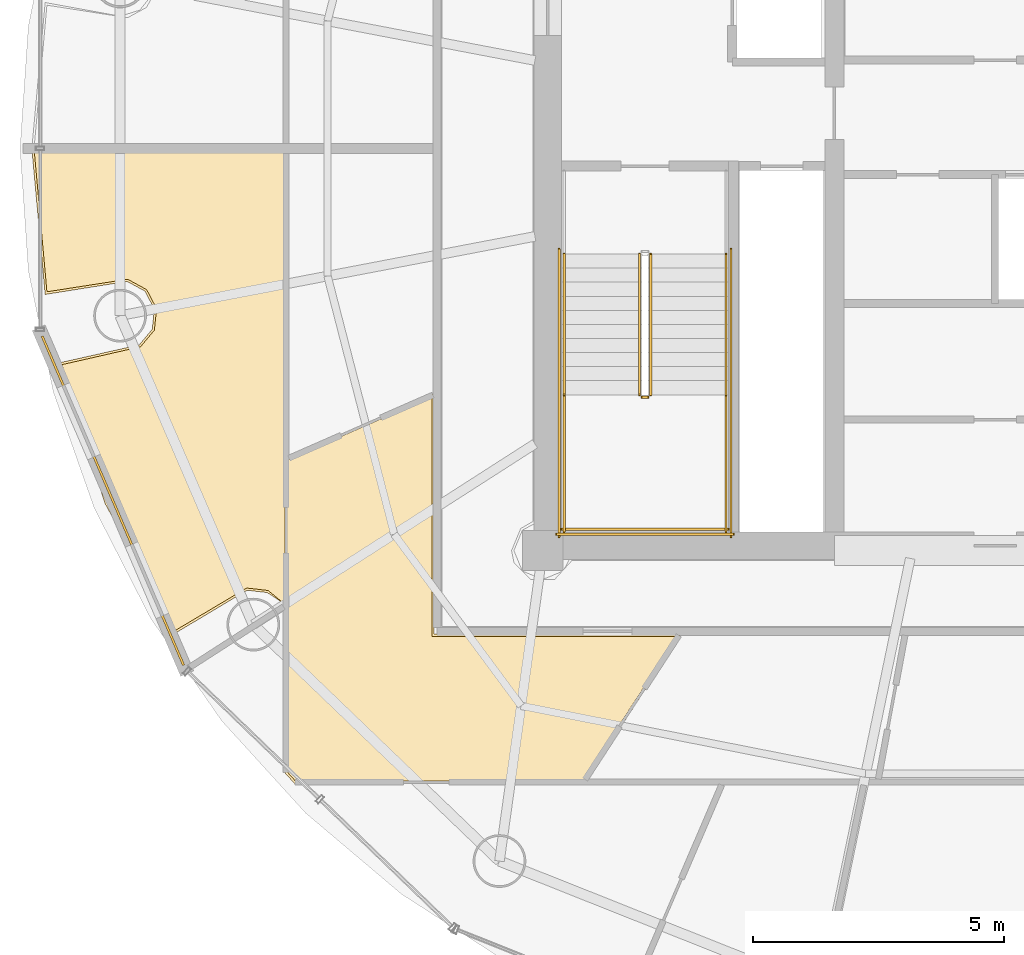
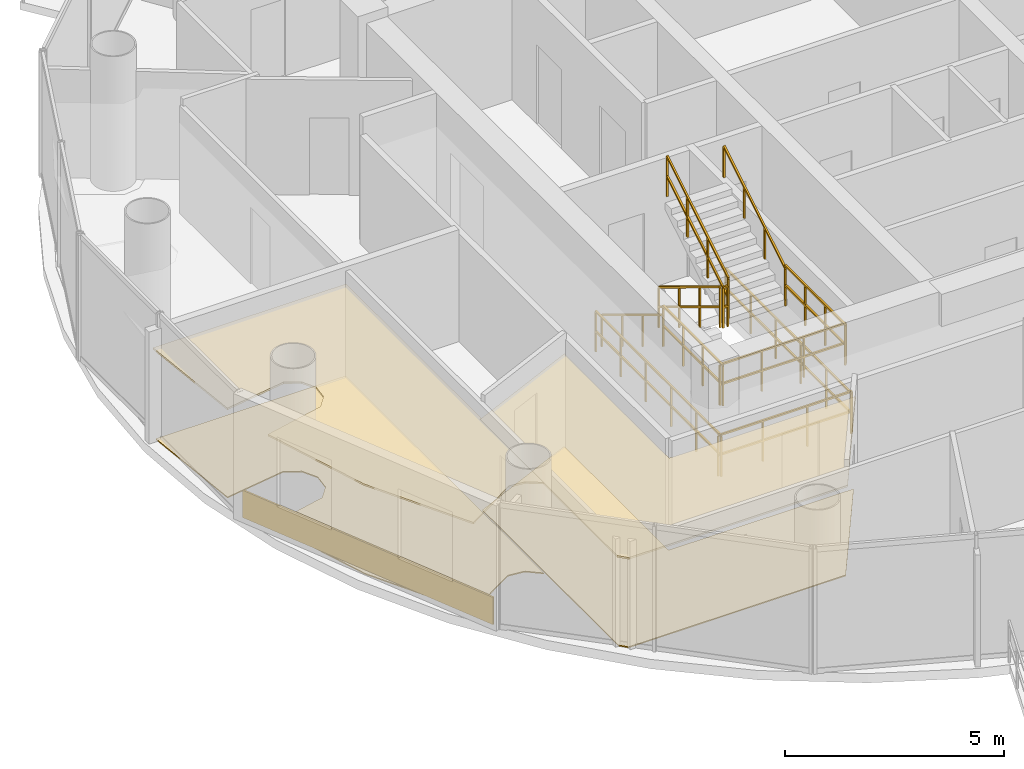
# One storey, part 21 of 24: 11 railings, 5 coverings.
"""IFC4 building model written with IfcOpenShell, lengths in metres."""

from ifc_helpers import new_model, si_unit, direction, frame, origin, origin_2d, place, context, subcontext, project, spatial, polyline, rectangle, outline, extrude, source, transform, mapped, material, layer, layer_set, type_object, element, save


model = new_model("IFC4")

# Units and contexts
model_context = context("Model", 3, precision=1e-05, world=origin(), true_north=direction((-0.2419218956, 0.970295726276)))
body_context = subcontext(model_context, "Body", "Model", "MODEL_VIEW")
ifc_project = project(units=[si_unit("LENGTHUNIT", "METRE"), si_unit("AREAUNIT", "SQUARE_METRE"), si_unit("VOLUMEUNIT", "CUBIC_METRE"), si_unit("PLANEANGLEUNIT", "RADIAN"), si_unit("MASSUNIT", "GRAM", prefix="KILO")], contexts=[model_context])

# Site, building, storey
site_placement = place(None, origin())
site = spatial("IfcSite", under=ifc_project, at=site_placement, CompositionType="ELEMENT")
building_placement = place(site_placement, origin())
building = spatial("IfcBuilding", under=site, at=building_placement, Name="Cobrevalo Terracotta Tower", CompositionType="ELEMENT")
storey_placement = place(building_placement, frame((0.0, 0.0, 293.199951171875)))
storey = spatial("IfcBuildingStorey", under=building, at=storey_placement, Name="L77", CompositionType="ELEMENT", Elevation=293.199951171875)

# Coverings
ifc_material_1 = material(Name="Engineered Brazilian hardwood flooring", Category="wood")
ifc_layer_1 = layer(ifc_material_1, 0.028076171875)
ifc_layer_set_1 = layer_set([ifc_layer_1], Name="Engineered Brazilian hardwood flooring")
covering_type_1 = type_object("IfcCoveringType", Name="Engineered Hardwood Suite Flooring 28", PredefinedType="FLOORING", material=ifc_layer_set_1)
covering_1_placement = place(storey_placement, origin())
element("IfcCovering", 1, at=covering_1_placement, inside=storey, type_object=covering_type_1, Name="Flat L77B Living and Dining Room floor finish", PredefinedType="FLOORING", context=body_context, shape_type="SweptSolid", body=[
    extrude(outline(polyline([(20.33544921875, 19.751220703125), (19.43505859375, 22.49951171875), (20.99755859375, 22.855224609375), (21.272705078125, 23.185302734375), (21.318115234375, 23.612548828125), (21.118408203125, 23.9931640625), (20.740966796875, 24.198486328125), (19.1357421875, 23.948974609375), (18.88134765625, 26.780029296875), (23.875, 26.780029296875), (23.875, 17.726318359375), (23.537109375, 18.005859375), (23.1103515625, 18.055908203125), (21.699951171875, 17.217529296875), (20.33544921875, 19.751220703125)])), origin(), (0.0, 0.0, 1.0), 0.030029296875),
])
ifc_material_2 = material(Name="Honed terracotta and granite tile", Category="masonry")
ifc_layer_2 = layer(ifc_material_2, 0.034912109375)
ifc_layer_set_2 = layer_set([ifc_layer_2], Name="Honed terracotta and granite tile")
covering_type_2 = type_object("IfcCoveringType", Name="Honed Terracotta & Granite Interior Flooring 35", PredefinedType="FLOORING", material=ifc_layer_set_2)
covering_2_placement = place(storey_placement, origin())
element("IfcCovering", 2, at=covering_2_placement, inside=storey, type_object=covering_type_2, Name="Flat L77B Apartment Entrance Hall floor finish", PredefinedType="FLOORING", context=body_context, shape_type="SweptSolid", body=[
    extrude(outline(polyline([(23.9150390625, 14.39599609375), (23.9150390625, 20.599853515625), (26.794921875, 21.863037109375), (26.794921875, 17.094970703125), (31.66943359375, 17.094970703125), (29.798095703125, 14.215087890625), (24.079833984375, 14.215087890625), (23.9150390625, 14.39599609375)])), origin(), (0.0, 0.0, 1.0), 0.030029296875),
])
ifc_material_3 = material(Name="Acoustic perforated gypsum ceiling", Category="gypsum")
ifc_layer_3 = layer(ifc_material_3, 0.050048828125)
ifc_layer_set_3 = layer_set([ifc_layer_3], Name="Acoustic perforated gypsum ceiling")
covering_type_3 = type_object("IfcCoveringType", Name="Perforated Acoustic Gypsum Ceiling 50", PredefinedType="CEILING", material=ifc_layer_set_3)
covering_3_placement = place(storey_placement, frame((0.0, 0.0, 2.5)))
element("IfcCovering", 3, at=covering_3_placement, inside=storey, type_object=covering_type_3, Name="Flat L77B Living and Dining Room acoustic ceiling", PredefinedType="CEILING", context=body_context, shape_type="SweptSolid", body=[
    extrude(outline(polyline([(20.2939453125, 19.7333984375), (19.3818359375, 22.53515625), (20.97265625, 22.89306640625), (21.23095703125, 23.202880859375), (21.273681640625, 23.60400390625), (21.086181640625, 23.96142578125), (20.731689453125, 24.154296875), (19.100830078125, 23.896484375), (18.833251953125, 26.824951171875), (23.919921875, 26.824951171875), (23.919921875, 17.70166015625), (23.51904296875, 17.964599609375), (23.118408203125, 18.011474609375), (21.687744140625, 17.15625), (20.2939453125, 19.7333984375)])), origin(), (0.0, 0.0, 1.0), 0.050048828125),
])
covering_4_placement = place(storey_placement, frame((0.0, 0.0, 2.5)))
element("IfcCovering", 4, at=covering_4_placement, inside=storey, type_object=covering_type_3, Name="Flat L77B Apartment Entrance Hall acoustic ceiling", PredefinedType="CEILING", context=body_context, shape_type="SweptSolid", body=[
    extrude(outline(polyline([(23.8701171875, 14.37841796875), (23.8701171875, 20.629150390625), (26.840087890625, 21.931884765625), (26.840087890625, 17.139892578125), (31.75244140625, 17.139892578125), (29.822509765625, 14.169921875), (24.059814453125, 14.169921875), (23.8701171875, 14.37841796875)])), origin(), (0.0, 0.0, 1.0), 0.050048828125),
])

# Railings
ifc_material_4 = material(Name="Brushed stainless steel", Category="steel")
railing_type_1 = type_object("IfcRailingType", Name="Stainless Steel Stair Handrail 900", PredefinedType="HANDRAIL", material=ifc_material_4)
railing_1_placement = place(storey_placement, frame((29.425048828125, 24.699951171875, 0.17041015625)))
element("IfcRailing", 5, at=railing_1_placement, inside=storey, type_object=railing_type_1, Name="L77 ST-1 stair handrail 1", PredefinedType="HANDRAIL", context=body_context, shape_type="SweptSolid", body=[
    extrude(rectangle(XDim=0.048095703125, YDim=0.048095703125, at=origin_2d()), frame((0.0, 0.0, 0.8759765625), z_axis=(0.0, -0.854169791009, 0.51999420009), x_axis=(1.0, 0.0, 0.0)), (0.0, 0.0, 1.0), 3.278076171875),
    extrude(rectangle(XDim=0.0419921875, YDim=0.0419921875, at=origin_2d()), origin(), (0.0, 0.0, 1.0), 0.851806640625),
    extrude(rectangle(XDim=0.0419921875, YDim=0.0419921875, at=origin_2d()), frame((0.0, -0.933349609375, 0.568115234375)), (0.0, 0.0, 1.0), 0.851806640625),
    extrude(rectangle(XDim=0.0419921875, YDim=0.0419921875, at=origin_2d()), frame((0.0, -1.86669921875, 1.136474609375)), (0.0, 0.0, 1.0), 0.851806640625),
    extrude(rectangle(XDim=0.0419921875, YDim=0.0419921875, at=origin_2d()), frame((0.0, -2.800048828125, 1.70458984375)), (0.0, 0.0, 1.0), 0.851806640625),
])
railing_2_placement = place(storey_placement, frame((32.64501953125, 21.89990234375, 2.04541015625)))
element("IfcRailing", 6, at=railing_2_placement, inside=storey, type_object=railing_type_1, Name="L77 ST-1 stair handrail 2", PredefinedType="HANDRAIL", context=body_context, shape_type="SweptSolid", body=[
    extrude(rectangle(XDim=0.048095703125, YDim=0.048095703125, at=origin_2d()), frame((0.0, 0.0, 0.8759765625), z_axis=(0.0, 0.854169791009, 0.51999420009), x_axis=(-1.0, 0.0, 0.0)), (0.0, 0.0, 1.0), 3.278076171875),
    extrude(rectangle(XDim=0.0419921875, YDim=0.0419921875, at=origin_2d()), origin(), (0.0, 0.0, 1.0), 0.851806640625),
    extrude(rectangle(XDim=0.0419921875, YDim=0.0419921875, at=origin_2d()), frame((0.0, 0.933349609375, 0.568115234375)), (0.0, 0.0, 1.0), 0.851806640625),
    extrude(rectangle(XDim=0.0419921875, YDim=0.0419921875, at=origin_2d()), frame((0.0, 1.86669921875, 1.136474609375)), (0.0, 0.0, 1.0), 0.851806640625),
    extrude(rectangle(XDim=0.0419921875, YDim=0.0419921875, at=origin_2d()), frame((0.0, 2.800048828125, 1.70458984375)), (0.0, 0.0, 1.0), 0.851806640625),
])
ifc_material_5 = material(Name="Painted galvanized steel", Category="steel")
railing_type_2 = type_object("IfcRailingType", Name="Stair Well Guard Balustrade 1150", PredefinedType="GUARDRAIL", material=ifc_material_5)
railing_3_placement = place(storey_placement, frame((30.925048828125, 24.699951171875, 0.17041015625)))
element("IfcRailing", 7, at=railing_3_placement, inside=storey, type_object=railing_type_2, Name="L77 ST-1 stair guard 1", PredefinedType="GUARDRAIL", context=body_context, shape_type="SweptSolid", body=[
    extrude(rectangle(XDim=0.048095703125, YDim=0.048095703125, at=origin_2d()), frame((0.0, 0.0, 1.1259765625), z_axis=(0.0, -0.854169791009, 0.51999420009), x_axis=(1.0, 0.0, 0.0)), (0.0, 0.0, 1.0), 3.278076171875),
    extrude(rectangle(XDim=0.048095703125, YDim=0.048095703125, at=origin_2d()), frame((0.0, 0.0, 0.574951171875), z_axis=(0.0, -0.854169791009, 0.51999420009), x_axis=(1.0, 0.0, 0.0)), (0.0, 0.0, 1.0), 3.278076171875),
    extrude(rectangle(XDim=0.0419921875, YDim=0.0419921875, at=origin_2d()), origin(), (0.0, 0.0, 1.0), 1.101806640625),
    extrude(rectangle(XDim=0.0419921875, YDim=0.0419921875, at=origin_2d()), frame((0.0, -0.933349609375, 0.568115234375)), (0.0, 0.0, 1.0), 1.101806640625),
    extrude(rectangle(XDim=0.0419921875, YDim=0.0419921875, at=origin_2d()), frame((0.0, -1.86669921875, 1.136474609375)), (0.0, 0.0, 1.0), 1.101806640625),
    extrude(rectangle(XDim=0.0419921875, YDim=0.0419921875, at=origin_2d()), frame((0.0, -2.800048828125, 1.70458984375)), (0.0, 0.0, 1.0), 1.101806640625),
])
railing_4_placement = place(storey_placement, frame((30.97509765625, 21.85009765625, 1.875)))
element("IfcRailing", 8, at=railing_4_placement, inside=storey, type_object=railing_type_2, Name="L77 ST-1 stair guard 2", PredefinedType="GUARDRAIL", context=body_context, shape_type="SweptSolid", body=[
    extrude(rectangle(XDim=0.048095703125, YDim=0.048095703125, at=origin_2d()), frame((0.0, 0.0, 1.1259765625), z_axis=(1.0, 0.0, 0.0), x_axis=(0.0, 1.0, 0.0)), (0.0, 0.0, 1.0), 0.119873046875),
    extrude(rectangle(XDim=0.048095703125, YDim=0.048095703125, at=origin_2d()), frame((0.0, 0.0, 0.574951171875), z_axis=(1.0, 0.0, 0.0), x_axis=(0.0, 1.0, 0.0)), (0.0, 0.0, 1.0), 0.119873046875),
    extrude(rectangle(XDim=0.0419921875, YDim=0.0419921875, at=origin_2d()), origin(), (0.0, 0.0, 1.0), 1.101806640625),
    extrude(rectangle(XDim=0.0419921875, YDim=0.0419921875, at=origin_2d()), frame((0.119873046875, 0.0, 0.0)), (0.0, 0.0, 1.0), 1.101806640625),
])
for number, where, name in (
    (9, (29.425048828125, 21.89990234375, 1.875), "L77 ST-1 stair guard 3"),
    (10, (32.64501953125, 21.89990234375, 1.875), "L77 ST-1 stair guard 4"),
):
    element("IfcRailing", number, at=place(storey_placement, frame(where)), inside=storey, type_object=railing_type_2, Name=name, PredefinedType="GUARDRAIL", context=body_context, shape_type="SweptSolid", body=[
        extrude(rectangle(XDim=0.048095703125, YDim=0.048095703125, at=origin_2d()), frame((0.0, 0.0, 1.1259765625), z_axis=(0.0, -1.0, 0.0), x_axis=(1.0, 0.0, 0.0)), (0.0, 0.0, 1.0), 2.724853515625),
        extrude(rectangle(XDim=0.048095703125, YDim=0.048095703125, at=origin_2d()), frame((0.0, 0.0, 0.574951171875), z_axis=(0.0, -1.0, 0.0), x_axis=(1.0, 0.0, 0.0)), (0.0, 0.0, 1.0), 2.724853515625),
        extrude(rectangle(XDim=0.0419921875, YDim=0.0419921875, at=origin_2d()), origin(), (0.0, 0.0, 1.0), 1.101806640625),
        extrude(rectangle(XDim=0.0419921875, YDim=0.0419921875, at=origin_2d()), frame((0.0, -0.908203125, 0.0)), (0.0, 0.0, 1.0), 1.101806640625),
        extrude(rectangle(XDim=0.0419921875, YDim=0.0419921875, at=origin_2d()), frame((0.0, -1.816650390625, 0.0)), (0.0, 0.0, 1.0), 1.101806640625),
        extrude(rectangle(XDim=0.0419921875, YDim=0.0419921875, at=origin_2d()), frame((0.0, -2.724853515625, 0.0)), (0.0, 0.0, 1.0), 1.101806640625),
    ])
railing_5_placement = place(storey_placement, frame((29.375, 19.22509765625, 1.875)))
element("IfcRailing", 11, at=railing_5_placement, inside=storey, type_object=railing_type_2, Name="L77 ST-1 stair guard 5", PredefinedType="GUARDRAIL", context=body_context, shape_type="SweptSolid", body=[
    extrude(rectangle(XDim=0.048095703125, YDim=0.048095703125, at=origin_2d()), frame((0.0, 0.0, 1.1259765625), z_axis=(1.0, 0.0, 0.0), x_axis=(0.0, 1.0, 0.0)), (0.0, 0.0, 1.0), 3.320068359375),
    extrude(rectangle(XDim=0.048095703125, YDim=0.048095703125, at=origin_2d()), frame((0.0, 0.0, 0.574951171875), z_axis=(1.0, 0.0, 0.0), x_axis=(0.0, 1.0, 0.0)), (0.0, 0.0, 1.0), 3.320068359375),
    extrude(rectangle(XDim=0.0419921875, YDim=0.0419921875, at=origin_2d()), origin(), (0.0, 0.0, 1.0), 1.101806640625),
    extrude(rectangle(XDim=0.0419921875, YDim=0.0419921875, at=origin_2d()), frame((1.106689453125, 0.0, 0.0)), (0.0, 0.0, 1.0), 1.101806640625),
    extrude(rectangle(XDim=0.0419921875, YDim=0.0419921875, at=origin_2d()), frame((2.21337890625, 0.0, 0.0)), (0.0, 0.0, 1.0), 1.101806640625),
    extrude(rectangle(XDim=0.0419921875, YDim=0.0419921875, at=origin_2d()), frame((3.320068359375, 0.0, 0.0)), (0.0, 0.0, 1.0), 1.101806640625),
])
railing_6_placement = place(storey_placement, frame((31.14501953125, 21.89990234375, 2.04541015625)))
element("IfcRailing", 12, at=railing_6_placement, inside=storey, type_object=railing_type_2, Name="L77 ST-1 stair guard 6", PredefinedType="GUARDRAIL", context=body_context, shape_type="SweptSolid", body=[
    extrude(rectangle(XDim=0.048095703125, YDim=0.048095703125, at=origin_2d()), frame((0.0, 0.0, 1.1259765625), z_axis=(0.0, 0.854169791009, 0.51999420009), x_axis=(-1.0, 0.0, 0.0)), (0.0, 0.0, 1.0), 3.278076171875),
    extrude(rectangle(XDim=0.048095703125, YDim=0.048095703125, at=origin_2d()), frame((0.0, 0.0, 0.574951171875), z_axis=(0.0, 0.854169791009, 0.51999420009), x_axis=(-1.0, 0.0, 0.0)), (0.0, 0.0, 1.0), 3.278076171875),
    extrude(rectangle(XDim=0.0419921875, YDim=0.0419921875, at=origin_2d()), origin(), (0.0, 0.0, 1.0), 1.101806640625),
    extrude(rectangle(XDim=0.0419921875, YDim=0.0419921875, at=origin_2d()), frame((0.0, 0.933349609375, 0.568115234375)), (0.0, 0.0, 1.0), 1.101806640625),
    extrude(rectangle(XDim=0.0419921875, YDim=0.0419921875, at=origin_2d()), frame((0.0, 1.86669921875, 1.136474609375)), (0.0, 0.0, 1.0), 1.101806640625),
    extrude(rectangle(XDim=0.0419921875, YDim=0.0419921875, at=origin_2d()), frame((0.0, 2.800048828125, 1.70458984375)), (0.0, 0.0, 1.0), 1.101806640625),
])
for number, where, name in (
    (13, (29.324951171875, 24.800048828125, 0.0), "L77 ST-1 stair guard 10"),
    (14, (32.7451171875, 24.800048828125, 0.0), "L77 ST-1 stair guard 11"),
):
    element("IfcRailing", number, at=place(storey_placement, frame(where)), inside=storey, type_object=railing_type_2, Name=name, PredefinedType="GUARDRAIL", context=body_context, shape_type="SweptSolid", body=[
        extrude(rectangle(XDim=0.048095703125, YDim=0.048095703125, at=origin_2d()), frame((0.0, 0.0, 1.1259765625), z_axis=(0.0, -1.0, 0.0), x_axis=(1.0, 0.0, 0.0)), (0.0, 0.0, 1.0), 5.72509765625),
        extrude(rectangle(XDim=0.048095703125, YDim=0.048095703125, at=origin_2d()), frame((0.0, 0.0, 0.574951171875), z_axis=(0.0, -1.0, 0.0), x_axis=(1.0, 0.0, 0.0)), (0.0, 0.0, 1.0), 5.72509765625),
        extrude(rectangle(XDim=0.0419921875, YDim=0.0419921875, at=origin_2d()), origin(), (0.0, 0.0, 1.0), 1.101806640625),
        extrude(rectangle(XDim=0.0419921875, YDim=0.0419921875, at=origin_2d()), frame((0.0, -1.14501953125, 0.0)), (0.0, 0.0, 1.0), 1.101806640625),
        extrude(rectangle(XDim=0.0419921875, YDim=0.0419921875, at=origin_2d()), frame((0.0, -2.2900390625, 0.0)), (0.0, 0.0, 1.0), 1.101806640625),
        extrude(rectangle(XDim=0.0419921875, YDim=0.0419921875, at=origin_2d()), frame((0.0, -3.43505859375, 0.0)), (0.0, 0.0, 1.0), 1.101806640625),
        extrude(rectangle(XDim=0.0419921875, YDim=0.0419921875, at=origin_2d()), frame((0.0, -4.580078125, 0.0)), (0.0, 0.0, 1.0), 1.101806640625),
        extrude(rectangle(XDim=0.0419921875, YDim=0.0419921875, at=origin_2d()), frame((0.0, -5.72509765625, 0.0)), (0.0, 0.0, 1.0), 1.101806640625),
    ])
railing_7_placement = place(storey_placement, frame((29.27490234375, 19.125, 0.0)))
element("IfcRailing", 15, at=railing_7_placement, inside=storey, type_object=railing_type_2, Name="L77 ST-1 stair guard 12", PredefinedType="GUARDRAIL", context=body_context, shape_type="SweptSolid", body=[
    extrude(rectangle(XDim=0.048095703125, YDim=0.048095703125, at=origin_2d()), frame((0.0, 0.0, 1.1259765625), z_axis=(1.0, 0.0, 0.0), x_axis=(0.0, 1.0, 0.0)), (0.0, 0.0, 1.0), 3.52001953125),
    extrude(rectangle(XDim=0.048095703125, YDim=0.048095703125, at=origin_2d()), frame((0.0, 0.0, 0.574951171875), z_axis=(1.0, 0.0, 0.0), x_axis=(0.0, 1.0, 0.0)), (0.0, 0.0, 1.0), 3.52001953125),
    extrude(rectangle(XDim=0.0419921875, YDim=0.0419921875, at=origin_2d()), origin(), (0.0, 0.0, 1.0), 1.101806640625),
    extrude(rectangle(XDim=0.0419921875, YDim=0.0419921875, at=origin_2d()), frame((1.17333984375, 0.0, 0.0)), (0.0, 0.0, 1.0), 1.101806640625),
    extrude(rectangle(XDim=0.0419921875, YDim=0.0419921875, at=origin_2d()), frame((2.3466796875, 0.0, 0.0)), (0.0, 0.0, 1.0), 1.101806640625),
    extrude(rectangle(XDim=0.0419921875, YDim=0.0419921875, at=origin_2d()), frame((3.52001953125, 0.0, 0.0)), (0.0, 0.0, 1.0), 1.101806640625),
])

# Covering
ifc_material_6 = material(Name="Glazed terracotta facade cladding tile", Category="masonry")
ifc_layer_4 = layer(ifc_material_6, 0.044921875)
ifc_layer_set_4 = layer_set([ifc_layer_4], Name="Glazed terracotta facade cladding tile")
covering_type_4 = type_object("IfcCoveringType", Name="Architectural terracotta rainscreen spandrel cladding 45 mm", PredefinedType="CLADDING", material=ifc_layer_set_4)
shared_shape = source(origin(), body_context, "Body", "SweptSolid", [
    extrude(rectangle(XDim=7.125244140625, YDim=0.044921875, at=origin_2d()), origin(), (0.0, 0.0, 1.0), 0.760009765625),
])
covering_5_placement = place(storey_placement, frame((20.4482421875, 19.79248046875, 0.0400390625), z_axis=(0.0, 0.0, 1.0), x_axis=(0.394828845134, -0.918754691444, 0.0)))
element("IfcCovering", 16, at=covering_5_placement, inside=storey, type_object=covering_type_4, Name="L77 terracotta spandrel cladding S09", PredefinedType="CLADDING", context=body_context, shape_type="MappedRepresentation", body=[
    mapped(shared_shape, transform((0.0, 0.0, 0.0), scale=1.0)),
])

save(model, "model.ifc")
